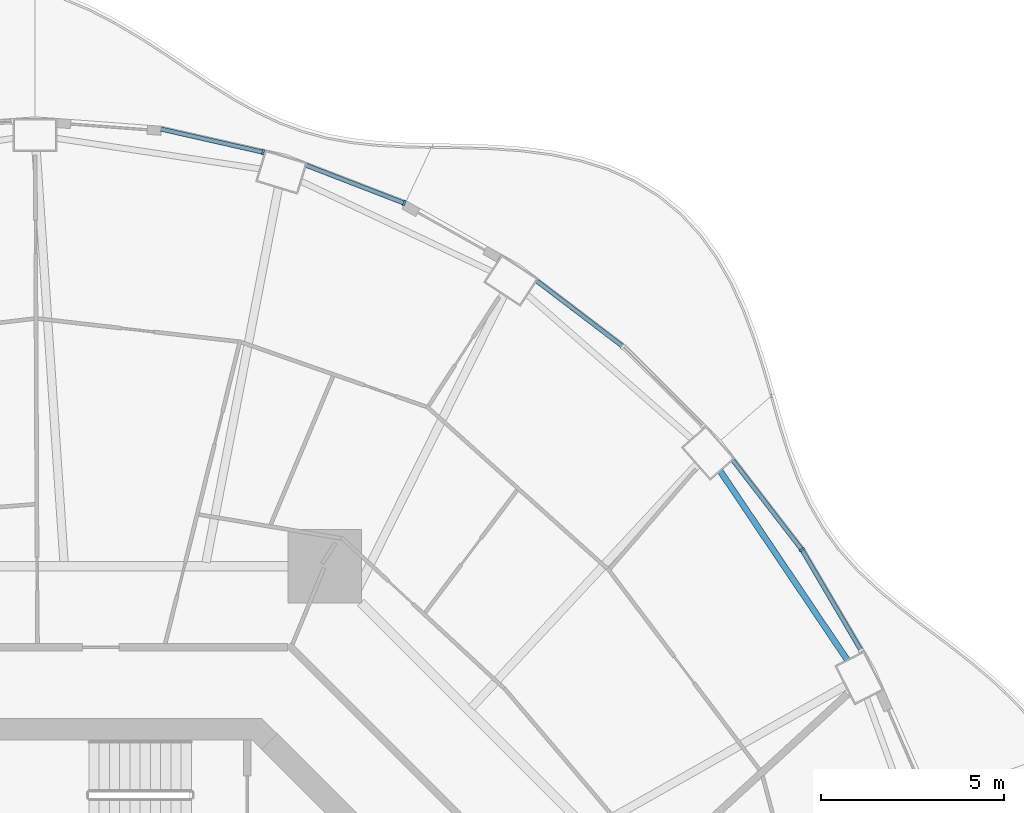
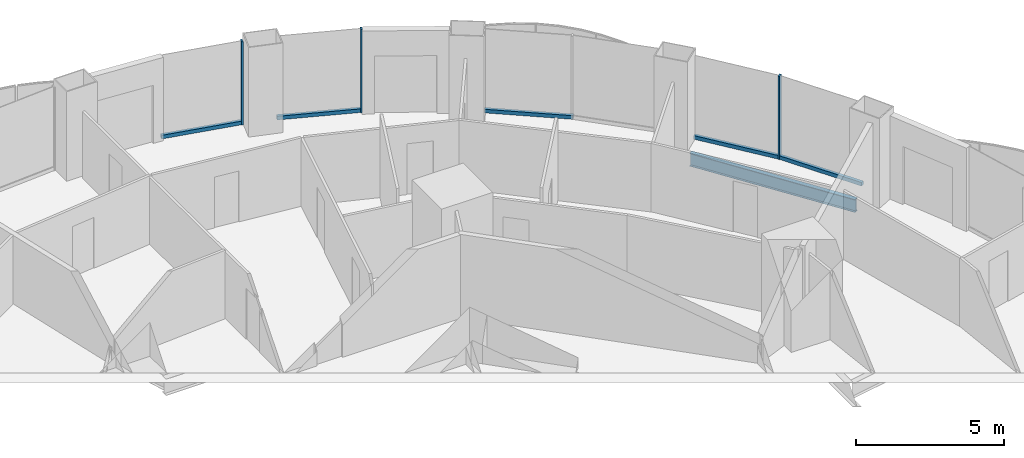
# One storey, part 10 of 21: 8 members, 1 beam, 5 elements without a shape of their own.
"""IFC4 building model written with IfcOpenShell, lengths in metres."""

import ifcopenshell
import ifcopenshell.guid

model = None  # the IFC model being written
_history = None  # IfcOwnerHistory: only IFC2X3 demands one
_inside = {}  # id of a spatial element -> (the spatial element, [elements in it])
_under = {}  # id of a project, library or spatial element -> (it, [spatial elements below it])
_declared = {}  # id of a project -> (the project, [libraries it declares])
_typed = {}  # id of a type object -> (the type object, [elements of that type])
_made_of = {}  # id of a material, layer set ... -> (it, [elements and type objects made of it])


def new_model(schema):
    """Start an empty IFC model of exactly this schema.

    Asked for "IFC4X3", IfcOpenShell would pick the latest addendum, in which some entities
    have other attributes; the version numbers below select the first issue.
    IFC2X3 requires an IfcOwnerHistory on every rooted entity: one is made here for all.
    """
    global model, _history
    if schema == "IFC4X3":
        model = ifcopenshell.file(schema_version=(4, 3, 0, 0))
    else:
        model = ifcopenshell.file(schema=schema)
    _inside.clear()
    _under.clear()
    _declared.clear()
    _typed.clear()
    _made_of.clear()
    _history = None
    if model.schema == "IFC2X3":
        org = make("IfcOrganization", Name="unknown")
        user = make(
            "IfcPersonAndOrganization",
            ThePerson=make("IfcPerson", FamilyName="unknown"),
            TheOrganization=org,
        )
        app = make(
            "IfcApplication",
            ApplicationDeveloper=org,
            Version="unknown",
            ApplicationFullName="unknown",
            ApplicationIdentifier="unknown",
        )
        _history = make(
            "IfcOwnerHistory",
            OwningUser=user,
            OwningApplication=app,
            ChangeAction="ADDED",
            CreationDate=0,
        )
    return model


def make(cls, **values):
    """One entity of the class cls with the attributes given. An attribute that is None is left unset."""
    return model.create_entity(
        cls, **{name: value for name, value in values.items() if value is not None}
    )


def rooted(cls, **values):
    """An entity with a GlobalId (a new one), such as an element, a storey or a relation."""
    return make(cls, GlobalId=ifcopenshell.guid.new(), OwnerHistory=_history, **values)


def si_unit(unit_type, name, prefix=None):
    """IfcSIUnit, for example si_unit("LENGTHUNIT", "METRE", prefix="MILLI")."""
    return make("IfcSIUnit", UnitType=unit_type, Prefix=prefix, Name=name)


def assignment(units):
    """IfcUnitAssignment: the units of a project."""
    return None if units is None else make("IfcUnitAssignment", Units=units)


def point(xyz):
    """IfcCartesianPoint."""
    return None if xyz is None else make("IfcCartesianPoint", Coordinates=xyz)


def direction(xyz):
    """IfcDirection."""
    return None if xyz is None else make("IfcDirection", DirectionRatios=xyz)


def frame(location, z_axis=None, x_axis=None):
    """IfcAxis2Placement3D, a coordinate frame: its origin and axes. An axis left out is left unset."""
    return make(
        "IfcAxis2Placement3D",
        Location=point(location),
        Axis=direction(z_axis),
        RefDirection=direction(x_axis),
    )


def frame_2d(location, x_axis=None):
    """IfcAxis2Placement2D, a coordinate frame in the plane: its origin and x axis."""
    return make(
        "IfcAxis2Placement2D", Location=point(location), RefDirection=direction(x_axis)
    )


def origin():
    """The frame at (0, 0, 0) with its axes left unset."""
    return frame((0.0, 0.0, 0.0))


def origin_2d():
    """The frame at (0, 0) in the plane with its x axis left unset."""
    return frame_2d((0.0, 0.0))


def place(relative_to, where):
    """IfcLocalPlacement: puts the frame where relative to a parent placement (None: the world)."""
    return make(
        "IfcLocalPlacement", PlacementRelTo=relative_to, RelativePlacement=where
    )


def context(
    kind, dimensions, precision=None, world=None, true_north=None, identifier=None
):
    """IfcGeometricRepresentationContext, for example the 3D "Model" context."""
    return make(
        "IfcGeometricRepresentationContext",
        ContextIdentifier=identifier,
        ContextType=kind,
        CoordinateSpaceDimension=dimensions,
        Precision=precision,
        WorldCoordinateSystem=world,
        TrueNorth=true_north,
    )


def subcontext(parent, identifier, kind, view, scale=None):
    """IfcGeometricRepresentationSubContext, for example "Body" below "Model"."""
    return make(
        "IfcGeometricRepresentationSubContext",
        ContextIdentifier=identifier,
        ContextType=kind,
        ParentContext=parent,
        TargetScale=scale,
        TargetView=view,
    )


def project(units=None, contexts=None):
    """IfcProject with its units and contexts."""
    return rooted(
        "IfcProject",
        Name="project",
        RepresentationContexts=contexts,
        UnitsInContext=assignment(units),
    )


def spatial(cls, under=None, at=None, **own):
    """A site, building, storey or space (cls), placed at a placement, below another one or the project."""
    s = rooted(cls, ObjectPlacement=at, **own)
    if under is not None:
        _under.setdefault(under.id(), (under, []))[1].append(s)
    return s


def profile(cls, at=None, kind="AREA", **sizes):
    """A parametric profile (cls). Its sizes go by their IFC names, for example OverallWidth=200.0."""
    return make(cls, ProfileType=kind, Position=at, **sizes)


def rectangle(**sizes):
    """IfcRectangleProfileDef."""
    return profile("IfcRectangleProfileDef", **sizes)


def i_section(**sizes):
    """IfcIShapeProfileDef."""
    return profile("IfcIShapeProfileDef", **sizes)


def extrude(swept, where, along, depth):
    """IfcExtrudedAreaSolid: the profile swept, set in the frame where, extruded along a direction by depth."""
    return make(
        "IfcExtrudedAreaSolid",
        SweptArea=swept,
        Position=where,
        ExtrudedDirection=direction(along),
        Depth=depth,
    )


def shape(context_of_items, identifier, shape_type, items):
    """IfcShapeRepresentation: the items that make up one representation, for example the "Body"."""
    return make(
        "IfcShapeRepresentation",
        ContextOfItems=context_of_items,
        RepresentationIdentifier=identifier,
        RepresentationType=shape_type,
        Items=items,
    )


def material(Name=None, Category=None):
    """IfcMaterial."""
    return make("IfcMaterial", Name=Name, Category=Category)


def layer(
    of_material, thickness, ventilated=None, Name=None, Category=None, Priority=None
):
    """IfcMaterialLayer: one layer of a wall or slab, of a material (None: an air gap)."""
    return make(
        "IfcMaterialLayer",
        Material=of_material,
        LayerThickness=thickness,
        IsVentilated=ventilated,
        Name=Name,
        Category=Category,
        Priority=Priority,
    )


def layer_set(layers, Name=None):
    """IfcMaterialLayerSet."""
    return make("IfcMaterialLayerSet", MaterialLayers=layers, LayerSetName=Name)


def material_profile(
    of_material, cross_section, Name=None, Category=None, Priority=None
):
    """IfcMaterialProfile: a cross section and its material."""
    return make(
        "IfcMaterialProfile",
        Name=Name,
        Material=of_material,
        Profile=cross_section,
        Priority=Priority,
        Category=Category,
    )


def profile_set(profiles, Name=None, composite=None):
    """IfcMaterialProfileSet."""
    return make(
        "IfcMaterialProfileSet",
        Name=Name,
        MaterialProfiles=profiles,
        CompositeProfile=composite,
    )


def made_of(thing, what):
    """Note that an element or type object is made of a material, layer set ...; save() writes the relation."""
    if what is not None:
        _made_of.setdefault(what.id(), (what, []))[1].append(thing)
    return thing


def type_object(cls, material=None, **own):
    """A type object (cls), such as IfcWallType, which elements share."""
    return made_of(rooted(cls, **own), material)


def element(
    cls,
    number,
    at=None,
    inside=None,
    cuts=None,
    type_object=None,
    material=None,
    context=None,
    identifier="Body",
    shape_type=None,
    held_by="IfcProductDefinitionShape",
    body=None,
    shapes=None,
    **own,
):
    """One element of the class cls, such as IfcWall. Its Tag is "e" and its number.

    at: its placement. inside: the storey or other place that contains it. cuts: it is an
    opening in that element (IfcRelVoidsElement). A single representation is given by context,
    identifier, shape_type and body (its items); several are given by shapes. held_by: the class
    of the entity that holds the representations. save() writes the other relations.
    """
    e = rooted(cls, Tag="e%d" % number, ObjectPlacement=at, **own)
    if body is not None:
        shapes = [shape(context, identifier, shape_type, body)]
    if shapes is not None:
        e.Representation = make(held_by, Representations=shapes)
    if inside is not None:
        _inside.setdefault(inside.id(), (inside, []))[1].append(e)
    if cuts is not None:
        rooted(
            "IfcRelVoidsElement", RelatingBuildingElement=cuts, RelatedOpeningElement=e
        )
    if type_object is not None:
        _typed.setdefault(type_object.id(), (type_object, []))[1].append(e)
    return made_of(e, material)


def aggregate(whole, parts):
    """IfcRelAggregates: a whole, such as a stair, and the parts it consists of."""
    return rooted("IfcRelAggregates", RelatingObject=whole, RelatedObjects=parts)


def save(model, path):
    """Write the relations noted so far, then the file.

    IfcRelAggregates (storeys below a building ...), IfcRelContainedInSpatialStructure (elements
    in a storey), IfcRelDefinesByType, IfcRelAssociatesMaterial and IfcRelDeclares: one each for
    every whole, place, type object, material and project.
    """
    for whole, parts in _under.values():
        aggregate(whole, parts)
    for where, things in _inside.values():
        rooted(
            "IfcRelContainedInSpatialStructure",
            RelatedElements=things,
            RelatingStructure=where,
        )
    for kind, things in _typed.values():
        rooted("IfcRelDefinesByType", RelatedObjects=things, RelatingType=kind)
    for what, things in _made_of.values():
        rooted("IfcRelAssociatesMaterial", RelatedObjects=things, RelatingMaterial=what)
    for by, libraries in _declared.values():
        rooted("IfcRelDeclares", RelatingContext=by, RelatedDefinitions=libraries)
    model.write(path)


model = new_model("IFC4")

# Units and contexts
model_context = context("Model", 3, precision=1e-05, world=origin(), true_north=direction((0.0, 1.0)))
body_context = subcontext(model_context, "Body", "Model", "MODEL_VIEW")
ifc_project = project(units=[si_unit("LENGTHUNIT", "METRE"), si_unit("AREAUNIT", "SQUARE_METRE"), si_unit("VOLUMEUNIT", "CUBIC_METRE"), si_unit("PLANEANGLEUNIT", "RADIAN"), si_unit("MASSUNIT", "GRAM", prefix="KILO")], contexts=[model_context])

# Site, building, storey
site_placement = place(None, origin())
site = spatial("IfcSite", under=ifc_project, at=site_placement, CompositionType="ELEMENT")
building_placement = place(site_placement, origin())
building = spatial("IfcBuilding", under=site, at=building_placement, Name="Nagisa Residences", CompositionType="ELEMENT")
storey_placement = place(building_placement, frame((0.0, 0.0, 134.39990234375)))
storey = spatial("IfcBuildingStorey", under=building, at=storey_placement, Name="L33", CompositionType="ELEMENT", Elevation=134.39990234375)

# Curtain wall, member
ifc_material_1 = material(Name="Concrete-coloured aluminium curtain wall system", Category="concrete")
ifc_layer = layer(ifc_material_1, 0.159912109375)
ifc_layer_set = layer_set([ifc_layer], Name="CW1 CURTAIN WALL")
curtain_wall_type = type_object("IfcCurtainWallType", Name="CW1 CURTAIN WALL", PredefinedType="NOTDEFINED", material=ifc_layer_set)
curtain_wall_1_placement = place(storey_placement, origin())
curtain_wall_1 = element("IfcCurtainWall", 1, at=curtain_wall_1_placement, inside=storey, type_object=curtain_wall_type, Name="cw:CW1:L33:05", PredefinedType="NOTDEFINED")
ifc_material_2 = material(Name="Concrete-coloured aluminium", Category="concrete")
ifc_material_profile_1 = material_profile(ifc_material_2, rectangle(XDim=0.159912109375, YDim=0.06005859375, at=origin_2d()), Name="CW1 MULLION 160x60")
ifc_profile_set_1 = profile_set([ifc_material_profile_1], Name="Concrete-coloured aluminium")
member_type_1 = type_object("IfcMemberType", Name="CW1 MULLION 160x60", PredefinedType="MULLION", material=ifc_profile_set_1)
member_1_placement = place(storey_placement, frame((19.169921875, 15.23876953125, 0.0), z_axis=(0.0, 0.0, 1.0), x_axis=(-0.792070340816, -0.610429828235, 0.0)))
member_1 = element("IfcMember", 2, at=member_1_placement, type_object=member_type_1, Name="CW1 mullion", PredefinedType="MULLION", context=body_context, shape_type="SweptSolid", body=[
    extrude(rectangle(XDim=0.159912109375, YDim=0.06005859375, at=origin_2d()), origin(), (0.0, 0.0, 1.0), 3.440185546875),
])

curtain_wall_2_placement = place(storey_placement, origin())
curtain_wall_2 = element("IfcCurtainWall", 3, at=curtain_wall_2_placement, inside=storey, type_object=curtain_wall_type, Name="cw:CW1:L33:09", PredefinedType="NOTDEFINED")
member_2_placement = place(storey_placement, frame((8.297607421875, 24.715087890625, 0.0), z_axis=(0.0, 0.0, 1.0), x_axis=(-0.360327770268, -0.932825759707, 0.0)))
member_2 = element("IfcMember", 4, at=member_2_placement, type_object=member_type_1, Name="CW1 mullion", PredefinedType="MULLION", context=body_context, shape_type="SweptSolid", body=[
    extrude(rectangle(XDim=0.159912109375, YDim=0.06005859375, at=origin_2d()), origin(), (0.0, 0.0, 1.0), 3.440185546875),
])

curtain_wall_3_placement = place(storey_placement, origin())
curtain_wall_3 = element("IfcCurtainWall", 5, at=curtain_wall_3_placement, inside=storey, type_object=curtain_wall_type, Name="cw:CW1:L33:10", PredefinedType="NOTDEFINED")
member_3_placement = place(storey_placement, frame((4.435546875, 26.109375, 0.0), z_axis=(0.0, 0.0, 1.0), x_axis=(-0.2207639201, -0.975327274089, 0.0)))
member_3 = element("IfcMember", 6, at=member_3_placement, type_object=member_type_1, Name="CW1 mullion", PredefinedType="MULLION", context=body_context, shape_type="SweptSolid", body=[
    extrude(rectangle(XDim=0.159912109375, YDim=0.06005859375, at=origin_2d()), origin(), (0.0, 0.0, 1.0), 3.440185546875),
])

curtain_wall_4_placement = place(storey_placement, origin())
curtain_wall_4 = element("IfcCurtainWall", 7, at=curtain_wall_4_placement, inside=storey, type_object=curtain_wall_type, Name="cw:CW1:L33:04", PredefinedType="NOTDEFINED")
ifc_material_3 = material(Name="Concrete-coloured aluminium", Category="concrete")
ifc_material_profile_2 = material_profile(ifc_material_3, rectangle(XDim=0.1201171875, YDim=0.14990234375, at=origin_2d()), Name="CW1 TRANSOM 120x150")
ifc_profile_set_2 = profile_set([ifc_material_profile_2], Name="Concrete-coloured aluminium")
member_type_2 = type_object("IfcMemberType", Name="CW1 TRANSOM 120x150", PredefinedType="USERDEFINED", material=ifc_profile_set_2)
member_4_placement = place(storey_placement, frame((20.80712890625, 12.456787109375, 0.0751953125), z_axis=(-0.506348207891, 0.86232910908, 0.0), x_axis=(-0.86232910908, -0.506348207891, 0.0)))
member_4 = element("IfcMember", 8, at=member_4_placement, type_object=member_type_2, Name="CW1 transom", ObjectType="TRANSOM", PredefinedType="USERDEFINED", context=body_context, shape_type="SweptSolid", body=[
    extrude(rectangle(XDim=0.1201171875, YDim=0.14990234375, at=origin_2d()), origin(), (0.0, 0.0, 1.0), 3.208251953125),
])
aggregate(curtain_wall_4, [member_4])

# Member
member_5_placement = place(storey_placement, frame((19.188232421875, 15.215087890625, 0.0751953125), z_axis=(-0.610467332273, 0.792041435928, 0.0), x_axis=(-0.792041435928, -0.610467332273, 0.0)))
member_5 = element("IfcMember", 9, at=member_5_placement, type_object=member_type_2, Name="CW1 transom", ObjectType="TRANSOM", PredefinedType="USERDEFINED", context=body_context, shape_type="SweptSolid", body=[
    extrude(rectangle(XDim=0.1201171875, YDim=0.14990234375, at=origin_2d()), origin(), (0.0, 0.0, 1.0), 3.14892578125),
])

aggregate(curtain_wall_1, [member_1, member_5])

# Curtain wall, member
curtain_wall_5_placement = place(storey_placement, origin())
curtain_wall_5 = element("IfcCurtainWall", 10, at=curtain_wall_5_placement, inside=storey, type_object=curtain_wall_type, Name="cw:CW1:L33:07", PredefinedType="NOTDEFINED")
member_6_placement = place(storey_placement, frame((14.30517578125, 20.77392578125, 0.0751953125), z_axis=(-0.796022231079, 0.605267385233, 0.0), x_axis=(-0.605267385233, -0.796022231079, 0.0)))
member_6 = element("IfcMember", 11, at=member_6_placement, type_object=member_type_2, Name="CW1 transom", ObjectType="TRANSOM", PredefinedType="USERDEFINED", context=body_context, shape_type="SweptSolid", body=[
    extrude(rectangle(XDim=0.1201171875, YDim=0.14990234375, at=origin_2d()), origin(), (0.0, 0.0, 1.0), 3.025634765625),
])
aggregate(curtain_wall_5, [member_6])

# Member
member_7_placement = place(storey_placement, frame((8.32568359375, 24.704345703125, 0.0751953125), z_axis=(-0.932845344347, 0.360277064952, 0.0), x_axis=(-0.360277064952, -0.932845344347, 0.0)))
member_7 = element("IfcMember", 12, at=member_7_placement, type_object=member_type_2, Name="CW1 transom", ObjectType="TRANSOM", PredefinedType="USERDEFINED", context=body_context, shape_type="SweptSolid", body=[
    extrude(rectangle(XDim=0.1201171875, YDim=0.14990234375, at=origin_2d()), origin(), (0.0, 0.0, 1.0), 2.92333984375),
])

aggregate(curtain_wall_2, [member_2, member_7])

member_8_placement = place(storey_placement, frame((4.46484375, 26.102783203125, 0.0751953125), z_axis=(-0.975320849653, 0.220792301117, 0.0), x_axis=(-0.220792301117, -0.975320849653, 0.0)))
member_8 = element("IfcMember", 13, at=member_8_placement, type_object=member_type_2, Name="CW1 transom", ObjectType="TRANSOM", PredefinedType="USERDEFINED", context=body_context, shape_type="SweptSolid", body=[
    extrude(rectangle(XDim=0.1201171875, YDim=0.14990234375, at=origin_2d()), origin(), (0.0, 0.0, 1.0), 2.890380859375),
])

aggregate(curtain_wall_3, [member_3, member_8])

# Beam
ifc_material_4 = material(Name="Steel ASTM A572 Gr 50", Category="steel")
ifc_material_profile_3 = material_profile(ifc_material_4, i_section(OverallWidth=0.166015625, OverallDepth=0.534912109375, WebThickness=0.01025390625, FlangeThickness=0.0166015625, at=origin_2d()), Name="W530x85")
ifc_profile_set_3 = profile_set([ifc_material_profile_3], Name="Steel ASTM A572 Gr 50")
beam_type = type_object("IfcBeamType", Name="Perimeter ring beam W530x85", PredefinedType="BEAM", material=ifc_profile_set_3)
beam_placement = place(storey_placement, frame((20.420654296875, 12.21484375, -0.52734375), z_axis=(-0.558187951157, 0.82971453596, 0.0), x_axis=(-0.82971453596, -0.558187951157, 0.0)))
element("IfcBeam", 14, at=beam_placement, inside=storey, type_object=beam_type, Name="beam:L33:pb03", PredefinedType="BEAM", context=body_context, shape_type="SweptSolid", body=[
    extrude(i_section(OverallWidth=0.166015625, OverallDepth=0.534912109375, WebThickness=0.01025390625, FlangeThickness=0.0166015625, at=origin_2d()), origin(), (0.0, 0.0, 1.0), 6.24267578125),
])

save(model, "model.ifc")
